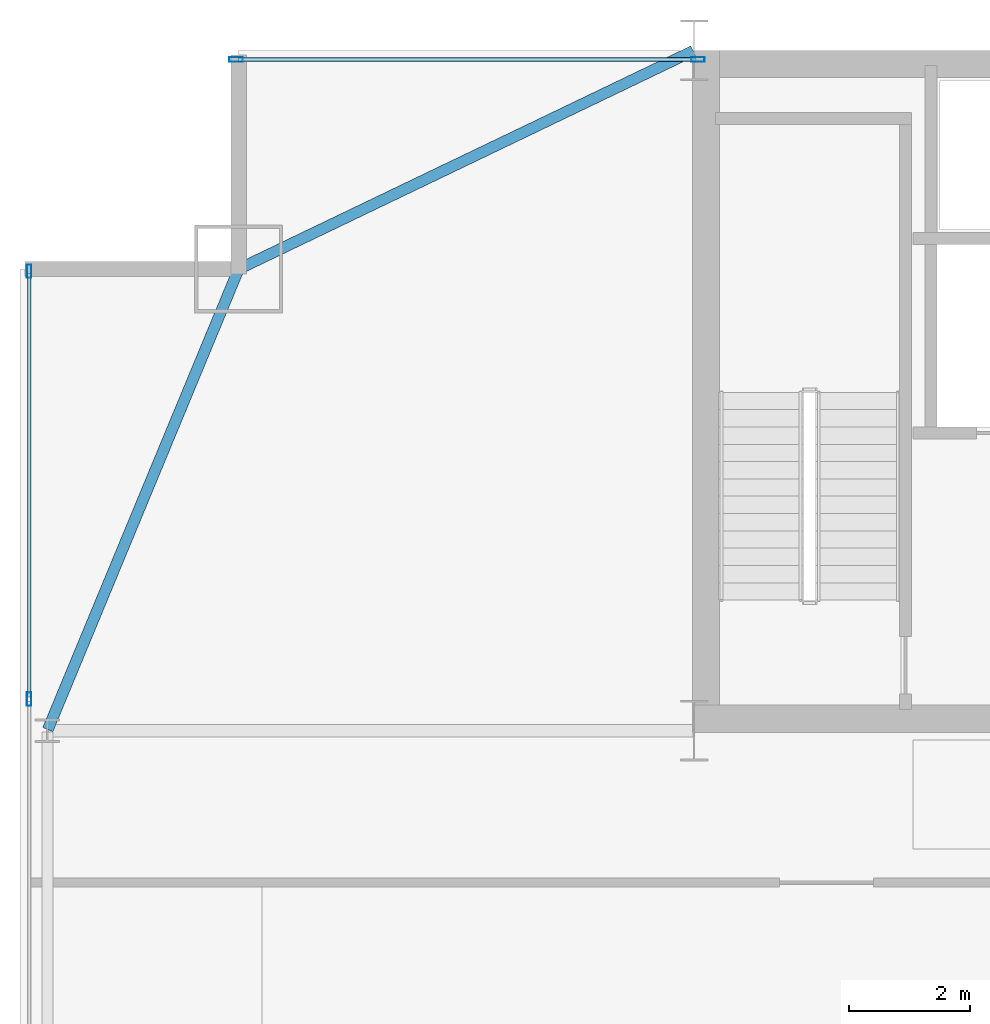
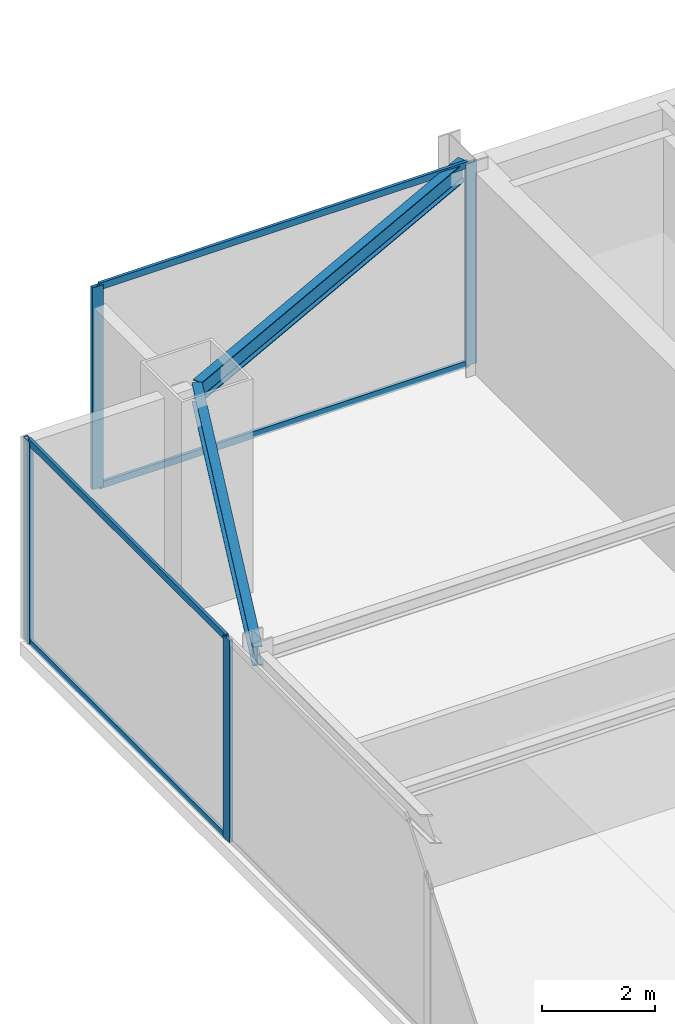
# One storey, part 26 of 32: 8 members, 2 beams, 2 elements without a shape of their own.
"""IFC4 building model written with IfcOpenShell, lengths in metres."""

import ifcopenshell
import ifcopenshell.guid

model = None  # the IFC model being written
_history = None  # IfcOwnerHistory: only IFC2X3 demands one
_inside = {}  # id of a spatial element -> (the spatial element, [elements in it])
_under = {}  # id of a project, library or spatial element -> (it, [spatial elements below it])
_declared = {}  # id of a project -> (the project, [libraries it declares])
_typed = {}  # id of a type object -> (the type object, [elements of that type])
_made_of = {}  # id of a material, layer set ... -> (it, [elements and type objects made of it])


def new_model(schema):
    """Start an empty IFC model of exactly this schema.

    Asked for "IFC4X3", IfcOpenShell would pick the latest addendum, in which some entities
    have other attributes; the version numbers below select the first issue.
    IFC2X3 requires an IfcOwnerHistory on every rooted entity: one is made here for all.
    """
    global model, _history
    if schema == "IFC4X3":
        model = ifcopenshell.file(schema_version=(4, 3, 0, 0))
    else:
        model = ifcopenshell.file(schema=schema)
    _inside.clear()
    _under.clear()
    _declared.clear()
    _typed.clear()
    _made_of.clear()
    _history = None
    if model.schema == "IFC2X3":
        org = make("IfcOrganization", Name="unknown")
        user = make(
            "IfcPersonAndOrganization",
            ThePerson=make("IfcPerson", FamilyName="unknown"),
            TheOrganization=org,
        )
        app = make(
            "IfcApplication",
            ApplicationDeveloper=org,
            Version="unknown",
            ApplicationFullName="unknown",
            ApplicationIdentifier="unknown",
        )
        _history = make(
            "IfcOwnerHistory",
            OwningUser=user,
            OwningApplication=app,
            ChangeAction="ADDED",
            CreationDate=0,
        )
    return model


def make(cls, **values):
    """One entity of the class cls with the attributes given. An attribute that is None is left unset."""
    return model.create_entity(
        cls, **{name: value for name, value in values.items() if value is not None}
    )


def rooted(cls, **values):
    """An entity with a GlobalId (a new one), such as an element, a storey or a relation."""
    return make(cls, GlobalId=ifcopenshell.guid.new(), OwnerHistory=_history, **values)


def si_unit(unit_type, name, prefix=None):
    """IfcSIUnit, for example si_unit("LENGTHUNIT", "METRE", prefix="MILLI")."""
    return make("IfcSIUnit", UnitType=unit_type, Prefix=prefix, Name=name)


def assignment(units):
    """IfcUnitAssignment: the units of a project."""
    return None if units is None else make("IfcUnitAssignment", Units=units)


def point(xyz):
    """IfcCartesianPoint."""
    return None if xyz is None else make("IfcCartesianPoint", Coordinates=xyz)


def direction(xyz):
    """IfcDirection."""
    return None if xyz is None else make("IfcDirection", DirectionRatios=xyz)


def frame(location, z_axis=None, x_axis=None):
    """IfcAxis2Placement3D, a coordinate frame: its origin and axes. An axis left out is left unset."""
    return make(
        "IfcAxis2Placement3D",
        Location=point(location),
        Axis=direction(z_axis),
        RefDirection=direction(x_axis),
    )


def frame_2d(location, x_axis=None):
    """IfcAxis2Placement2D, a coordinate frame in the plane: its origin and x axis."""
    return make(
        "IfcAxis2Placement2D", Location=point(location), RefDirection=direction(x_axis)
    )


def origin():
    """The frame at (0, 0, 0) with its axes left unset."""
    return frame((0.0, 0.0, 0.0))


def origin_2d():
    """The frame at (0, 0) in the plane with its x axis left unset."""
    return frame_2d((0.0, 0.0))


def place(relative_to, where):
    """IfcLocalPlacement: puts the frame where relative to a parent placement (None: the world)."""
    return make(
        "IfcLocalPlacement", PlacementRelTo=relative_to, RelativePlacement=where
    )


def context(
    kind, dimensions, precision=None, world=None, true_north=None, identifier=None
):
    """IfcGeometricRepresentationContext, for example the 3D "Model" context."""
    return make(
        "IfcGeometricRepresentationContext",
        ContextIdentifier=identifier,
        ContextType=kind,
        CoordinateSpaceDimension=dimensions,
        Precision=precision,
        WorldCoordinateSystem=world,
        TrueNorth=true_north,
    )


def subcontext(parent, identifier, kind, view, scale=None):
    """IfcGeometricRepresentationSubContext, for example "Body" below "Model"."""
    return make(
        "IfcGeometricRepresentationSubContext",
        ContextIdentifier=identifier,
        ContextType=kind,
        ParentContext=parent,
        TargetScale=scale,
        TargetView=view,
    )


def project(units=None, contexts=None):
    """IfcProject with its units and contexts."""
    return rooted(
        "IfcProject",
        Name="project",
        RepresentationContexts=contexts,
        UnitsInContext=assignment(units),
    )


def spatial(cls, under=None, at=None, **own):
    """A site, building, storey or space (cls), placed at a placement, below another one or the project."""
    s = rooted(cls, ObjectPlacement=at, **own)
    if under is not None:
        _under.setdefault(under.id(), (under, []))[1].append(s)
    return s


def profile(cls, at=None, kind="AREA", **sizes):
    """A parametric profile (cls). Its sizes go by their IFC names, for example OverallWidth=200.0."""
    return make(cls, ProfileType=kind, Position=at, **sizes)


def hollow_rectangle(**sizes):
    """IfcRectangleHollowProfileDef."""
    return profile("IfcRectangleHollowProfileDef", **sizes)


def i_section(**sizes):
    """IfcIShapeProfileDef."""
    return profile("IfcIShapeProfileDef", **sizes)


def extrude(swept, where, along, depth):
    """IfcExtrudedAreaSolid: the profile swept, set in the frame where, extruded along a direction by depth."""
    return make(
        "IfcExtrudedAreaSolid",
        SweptArea=swept,
        Position=where,
        ExtrudedDirection=direction(along),
        Depth=depth,
    )


def shape(context_of_items, identifier, shape_type, items):
    """IfcShapeRepresentation: the items that make up one representation, for example the "Body"."""
    return make(
        "IfcShapeRepresentation",
        ContextOfItems=context_of_items,
        RepresentationIdentifier=identifier,
        RepresentationType=shape_type,
        Items=items,
    )


def source(mapping_origin, context_of_items, identifier, shape_type, items):
    """IfcRepresentationMap: a shape defined once, which mapped items show again and again."""
    return make(
        "IfcRepresentationMap",
        MappingOrigin=mapping_origin,
        MappedRepresentation=shape(context_of_items, identifier, shape_type, items),
    )


def transform(
    local_origin,
    x_axis=None,
    y_axis=None,
    z_axis=None,
    scale=None,
    scale2=None,
    scale3=None,
    uniform=True,
):
    """IfcCartesianTransformationOperator3D, or its non-uniform kind. x_axis, y_axis, z_axis: its Axis1, 2, 3."""
    if uniform:
        return make(
            "IfcCartesianTransformationOperator3D",
            Axis1=direction(x_axis),
            Axis2=direction(y_axis),
            LocalOrigin=point(local_origin),
            Scale=scale,
            Axis3=direction(z_axis),
        )
    return make(
        "IfcCartesianTransformationOperator3DnonUniform",
        Axis1=direction(x_axis),
        Axis2=direction(y_axis),
        LocalOrigin=point(local_origin),
        Scale=scale,
        Axis3=direction(z_axis),
        Scale2=scale2,
        Scale3=scale3,
    )


def mapped(mapping_source, mapping_target):
    """IfcMappedItem: shows the shape of a source again, moved by a transform."""
    return make(
        "IfcMappedItem", MappingSource=mapping_source, MappingTarget=mapping_target
    )


def material(Name=None, Category=None):
    """IfcMaterial."""
    return make("IfcMaterial", Name=Name, Category=Category)


def layer(
    of_material, thickness, ventilated=None, Name=None, Category=None, Priority=None
):
    """IfcMaterialLayer: one layer of a wall or slab, of a material (None: an air gap)."""
    return make(
        "IfcMaterialLayer",
        Material=of_material,
        LayerThickness=thickness,
        IsVentilated=ventilated,
        Name=Name,
        Category=Category,
        Priority=Priority,
    )


def layer_set(layers, Name=None):
    """IfcMaterialLayerSet."""
    return make("IfcMaterialLayerSet", MaterialLayers=layers, LayerSetName=Name)


def material_profile(
    of_material, cross_section, Name=None, Category=None, Priority=None
):
    """IfcMaterialProfile: a cross section and its material."""
    return make(
        "IfcMaterialProfile",
        Name=Name,
        Material=of_material,
        Profile=cross_section,
        Priority=Priority,
        Category=Category,
    )


def profile_set(profiles, Name=None, composite=None):
    """IfcMaterialProfileSet."""
    return make(
        "IfcMaterialProfileSet",
        Name=Name,
        MaterialProfiles=profiles,
        CompositeProfile=composite,
    )


def made_of(thing, what):
    """Note that an element or type object is made of a material, layer set ...; save() writes the relation."""
    if what is not None:
        _made_of.setdefault(what.id(), (what, []))[1].append(thing)
    return thing


def type_object(cls, material=None, **own):
    """A type object (cls), such as IfcWallType, which elements share."""
    return made_of(rooted(cls, **own), material)


def type_shapes(of_type, sources):
    """Give a type object the sources (RepresentationMaps) that its elements show as mapped items."""
    of_type.RepresentationMaps = sources


def element(
    cls,
    number,
    at=None,
    inside=None,
    cuts=None,
    type_object=None,
    material=None,
    context=None,
    identifier="Body",
    shape_type=None,
    held_by="IfcProductDefinitionShape",
    body=None,
    shapes=None,
    **own,
):
    """One element of the class cls, such as IfcWall. Its Tag is "e" and its number.

    at: its placement. inside: the storey or other place that contains it. cuts: it is an
    opening in that element (IfcRelVoidsElement). A single representation is given by context,
    identifier, shape_type and body (its items); several are given by shapes. held_by: the class
    of the entity that holds the representations. save() writes the other relations.
    """
    e = rooted(cls, Tag="e%d" % number, ObjectPlacement=at, **own)
    if body is not None:
        shapes = [shape(context, identifier, shape_type, body)]
    if shapes is not None:
        e.Representation = make(held_by, Representations=shapes)
    if inside is not None:
        _inside.setdefault(inside.id(), (inside, []))[1].append(e)
    if cuts is not None:
        rooted(
            "IfcRelVoidsElement", RelatingBuildingElement=cuts, RelatedOpeningElement=e
        )
    if type_object is not None:
        _typed.setdefault(type_object.id(), (type_object, []))[1].append(e)
    return made_of(e, material)


def aggregate(whole, parts):
    """IfcRelAggregates: a whole, such as a stair, and the parts it consists of."""
    return rooted("IfcRelAggregates", RelatingObject=whole, RelatedObjects=parts)


def save(model, path):
    """Write the relations noted so far, then the file.

    IfcRelAggregates (storeys below a building ...), IfcRelContainedInSpatialStructure (elements
    in a storey), IfcRelDefinesByType, IfcRelAssociatesMaterial and IfcRelDeclares: one each for
    every whole, place, type object, material and project.
    """
    for whole, parts in _under.values():
        aggregate(whole, parts)
    for where, things in _inside.values():
        rooted(
            "IfcRelContainedInSpatialStructure",
            RelatedElements=things,
            RelatingStructure=where,
        )
    for kind, things in _typed.values():
        rooted("IfcRelDefinesByType", RelatedObjects=things, RelatingType=kind)
    for what, things in _made_of.values():
        rooted("IfcRelAssociatesMaterial", RelatedObjects=things, RelatingMaterial=what)
    for by, libraries in _declared.values():
        rooted("IfcRelDeclares", RelatingContext=by, RelatedDefinitions=libraries)
    model.write(path)


model = new_model("IFC4")

# Units and contexts
model_context = context("Model", 3, precision=1e-05, world=origin(), true_north=direction((0.0, 1.0)))
body_context = subcontext(model_context, "Body", "Model", "MODEL_VIEW")
ifc_project = project(units=[si_unit("LENGTHUNIT", "METRE"), si_unit("AREAUNIT", "SQUARE_METRE"), si_unit("VOLUMEUNIT", "CUBIC_METRE"), si_unit("PLANEANGLEUNIT", "RADIAN"), si_unit("MASSUNIT", "GRAM", prefix="KILO")], contexts=[model_context])

# Site, building, storey
site_placement = place(None, origin())
site = spatial("IfcSite", under=ifc_project, at=site_placement, CompositionType="ELEMENT")
building_placement = place(site_placement, origin())
building = spatial("IfcBuilding", under=site, at=building_placement, Name="Varnel Quay Broadcast Tower", CompositionType="ELEMENT")
storey_placement = place(building_placement, frame((0.0, 0.0, 98.39990234375)))
storey = spatial("IfcBuildingStorey", under=building, at=storey_placement, Name="L23", CompositionType="ELEMENT", Elevation=98.39990234375)

# Beams
ifc_material_1 = material(Name="Structural Steel CSA G40.21 350W", Category="steel")
ifc_material_profile_1 = material_profile(ifc_material_1, i_section(OverallWidth=0.180908203125, OverallDepth=0.4169921875, WebThickness=0.010986328125, FlangeThickness=0.018310546875, FilletRadius=0.011962890625, at=origin_2d()), Name="W410X85")
ifc_profile_set_1 = profile_set([ifc_material_profile_1], Name="Structural Steel CSA G40.21 350W")
beam_type = type_object("IfcBeamType", Name="Beam_W410X85", PredefinedType="SPANDREL", material=ifc_profile_set_1)
shared_shape_1 = source(origin(), body_context, "Body", "SweptSolid", [
    extrude(i_section(OverallWidth=0.180908203125, OverallDepth=0.4169921875, WebThickness=0.010986328125, FlangeThickness=0.018310546875, FilletRadius=0.011962890625, at=origin_2d()), origin(), (0.0, 0.0, 1.0), 8.186767578125),
])
beam_1_placement = place(storey_placement, frame((4.957763671875, 35.618408203125, 4.1416015625), z_axis=(0.382874132092, 0.923800519038, 0.0), x_axis=(-0.923800519038, 0.382874132092, 0.0)))
element("IfcBeam", 1, at=beam_1_placement, inside=storey, type_object=beam_type, Name="L23 West Spandrel TC-W3-MC-NW", PredefinedType="SPANDREL", context=body_context, shape_type="MappedRepresentation", body=[
    mapped(shared_shape_1, transform((0.0, 0.0, 0.0), x_axis=(1.0, 0.0, 0.0), y_axis=(0.0, 1.0, 0.0), z_axis=(0.0, 0.0, 1.0), scale=1.0)),
])
shared_shape_2 = source(origin(), body_context, "Body", "SweptSolid", [
    extrude(i_section(OverallWidth=0.180908203125, OverallDepth=0.4169921875, WebThickness=0.010986328125, FlangeThickness=0.018310546875, FilletRadius=0.011962890625, at=origin_2d()), origin(), (0.0, 0.0, 1.0), 8.279296875),
])
type_shapes(beam_type, [shared_shape_1, shared_shape_2])
beam_2_placement = place(storey_placement, frame((8.117919921875, 43.208740234375, 4.1416015625), z_axis=(0.901535021024, 0.432706142626, 0.0), x_axis=(-0.432706142626, 0.901535021024, 0.0)))
element("IfcBeam", 2, at=beam_2_placement, inside=storey, type_object=beam_type, Name="L23 NW Tie Spandrel", PredefinedType="SPANDREL", context=body_context, shape_type="MappedRepresentation", body=[
    mapped(shared_shape_2, transform((0.0, 0.0, 0.0), x_axis=(1.0, 0.0, 0.0), y_axis=(0.0, 1.0, 0.0), z_axis=(0.0, 0.0, 1.0), scale=1.0)),
])

# Curtain wall, members
ifc_material_2 = material(Name="Anodised Bronze Aluminium 6063-T6", Category="aluminium")
ifc_layer = layer(ifc_material_2, 0.18994140625, Name="Anodised Bronze Aluminium 6063-T6")
ifc_layer_set = layer_set([ifc_layer], Name="Anodised Bronze Aluminium 6063-T6")
curtain_wall_type = type_object("IfcCurtainWallType", Name="CW_SkyObsHighVis", PredefinedType="NOTDEFINED", material=ifc_layer_set)
curtain_wall_1_placement = place(storey_placement, origin())
curtain_wall_1 = element("IfcCurtainWall", 3, at=curtain_wall_1_placement, inside=storey, type_object=curtain_wall_type, Name="L23 West Unitised Curtain Wall", PredefinedType="NOTDEFINED")
ifc_material_profile_2 = material_profile(ifc_material_2, hollow_rectangle(XDim=0.074951171875, YDim=0.219970703125, WallThickness=0.00390625, at=origin_2d()), Name="ALU75X220X4")
ifc_profile_set_2 = profile_set([ifc_material_profile_2], Name="Anodised Bronze Aluminium 6063-T6")
member_type_1 = type_object("IfcMemberType", Name="Mull_CWS-05", PredefinedType="MULLION", material=ifc_profile_set_2)
shared_shape_3 = source(origin(), body_context, "Body", "SweptSolid", [
    extrude(hollow_rectangle(XDim=0.074951171875, YDim=0.219970703125, WallThickness=0.00390625, at=origin_2d()), origin(), (0.0, 0.0, 1.0), 4.35009765625),
])
type_shapes(member_type_1, [shared_shape_3])
member_1_placement = place(storey_placement, frame((4.64990234375, 36.1201171875, 0.0), z_axis=(0.0, 0.0, 1.0), x_axis=(-1.0, 0.0, 0.0)))
member_1 = element("IfcMember", 4, at=member_1_placement, type_object=member_type_1, Name="CWS-05 mullion 5", PredefinedType="MULLION", context=body_context, shape_type="MappedRepresentation", body=[
    mapped(shared_shape_3, transform((0.0, 0.0, 0.0), x_axis=(1.0, 0.0, 0.0), y_axis=(0.0, 1.0, 0.0), z_axis=(0.0, 0.0, 1.0), scale=1.0)),
])
member_2_placement = place(storey_placement, frame((4.64990234375, 43.16259765625, 0.0), z_axis=(0.0, 0.0, 1.0), x_axis=(-1.0, 0.0, 0.0)))
member_2 = element("IfcMember", 5, at=member_2_placement, type_object=member_type_1, Name="CWS-05 mullion 6", PredefinedType="MULLION", context=body_context, shape_type="MappedRepresentation", body=[
    mapped(shared_shape_3, transform((0.0, 0.0, 0.0), x_axis=(1.0, 0.0, 0.0), y_axis=(0.0, 1.0, 0.0), z_axis=(0.0, 0.0, 1.0), scale=1.0)),
])

curtain_wall_2_placement = place(storey_placement, origin())
curtain_wall_2 = element("IfcCurtainWall", 6, at=curtain_wall_2_placement, inside=storey, type_object=curtain_wall_type, Name="L23 NW Wing Curtain Wall", PredefinedType="NOTDEFINED")
member_3_placement = place(storey_placement, frame((8.0576171875, 46.64990234375, 0.0), z_axis=(0.0, 0.0, 1.0), x_axis=(0.0, 1.0, 0.0)))
member_3 = element("IfcMember", 7, at=member_3_placement, type_object=member_type_1, Name="CWS-05 mullion 1", PredefinedType="MULLION", context=body_context, shape_type="MappedRepresentation", body=[
    mapped(shared_shape_3, transform((0.0, 0.0, 0.0), x_axis=(1.0, 0.0, 0.0), y_axis=(0.0, 1.0, 0.0), z_axis=(0.0, 0.0, 1.0), scale=1.0)),
])
member_4_placement = place(storey_placement, frame((15.66259765625, 46.64990234375, 0.0), z_axis=(0.0, 0.0, 1.0), x_axis=(0.0, 1.0, 0.0)))
member_4 = element("IfcMember", 8, at=member_4_placement, type_object=member_type_1, Name="CWS-05 mullion 2", PredefinedType="MULLION", context=body_context, shape_type="MappedRepresentation", body=[
    mapped(shared_shape_3, transform((0.0, 0.0, 0.0), x_axis=(1.0, 0.0, 0.0), y_axis=(0.0, 1.0, 0.0), z_axis=(0.0, 0.0, 1.0), scale=1.0)),
])

# Member
ifc_material_profile_3 = material_profile(ifc_material_2, hollow_rectangle(XDim=0.06005859375, YDim=0.14501953125, WallThickness=0.00341796875, at=origin_2d()), Name="ALU60X145X3.5")
ifc_profile_set_3 = profile_set([ifc_material_profile_3], Name="Anodised Bronze Aluminium 6063-T6")
member_type_2 = type_object("IfcMemberType", Name="Tran_CWS-05", PredefinedType="USERDEFINED", material=ifc_profile_set_3)
shared_shape_4 = source(origin(), body_context, "Body", "SweptSolid", [
    extrude(hollow_rectangle(XDim=0.06005859375, YDim=0.14501953125, WallThickness=0.00341796875, at=origin_2d()), origin(), (0.0, 0.0, 1.0), 6.967529296875),
])
member_5_placement = place(storey_placement, frame((4.64990234375, 36.157470703125, 0.030029296875), z_axis=(0.0, 1.0, 0.0), x_axis=(-1.0, 0.0, 0.0)))
member_5 = element("IfcMember", 9, at=member_5_placement, type_object=member_type_2, Name="CWS-05 transom 5.1", ObjectType="TRANSOM", PredefinedType="USERDEFINED", context=body_context, shape_type="MappedRepresentation", body=[
    mapped(shared_shape_4, transform((0.0, 0.0, 0.0), x_axis=(1.0, 0.0, 0.0), y_axis=(0.0, 1.0, 0.0), z_axis=(0.0, 0.0, 1.0), scale=1.0)),
])

member_6_placement = place(storey_placement, frame((4.64990234375, 36.157470703125, 4.320068359375), z_axis=(0.0, 1.0, 0.0), x_axis=(-1.0, 0.0, 0.0)))
member_6 = element("IfcMember", 10, at=member_6_placement, type_object=member_type_2, Name="CWS-05 transom 5.2", ObjectType="TRANSOM", PredefinedType="USERDEFINED", context=body_context, shape_type="MappedRepresentation", body=[
    mapped(shared_shape_4, transform((0.0, 0.0, 0.0), x_axis=(1.0, 0.0, 0.0), y_axis=(0.0, 1.0, 0.0), z_axis=(0.0, 0.0, 1.0), scale=1.0)),
])

aggregate(curtain_wall_1, [member_1, member_2, member_5, member_6])

shared_shape_5 = source(origin(), body_context, "Body", "SweptSolid", [
    extrude(hollow_rectangle(XDim=0.06005859375, YDim=0.14501953125, WallThickness=0.00341796875, at=origin_2d()), origin(), (0.0, 0.0, 1.0), 7.530029296875),
])
type_shapes(member_type_2, [shared_shape_4, shared_shape_5])
member_7_placement = place(storey_placement, frame((8.094970703125, 46.64990234375, 0.030029296875), z_axis=(1.0, 0.0, 0.0), x_axis=(0.0, 1.0, 0.0)))
member_7 = element("IfcMember", 11, at=member_7_placement, type_object=member_type_2, Name="CWS-05 transom 1.1", ObjectType="TRANSOM", PredefinedType="USERDEFINED", context=body_context, shape_type="MappedRepresentation", body=[
    mapped(shared_shape_5, transform((0.0, 0.0, 0.0), x_axis=(1.0, 0.0, 0.0), y_axis=(0.0, 1.0, 0.0), z_axis=(0.0, 0.0, 1.0), scale=1.0)),
])

member_8_placement = place(storey_placement, frame((8.094970703125, 46.64990234375, 4.320068359375), z_axis=(1.0, 0.0, 0.0), x_axis=(0.0, 1.0, 0.0)))
member_8 = element("IfcMember", 12, at=member_8_placement, type_object=member_type_2, Name="CWS-05 transom 1.2", ObjectType="TRANSOM", PredefinedType="USERDEFINED", context=body_context, shape_type="MappedRepresentation", body=[
    mapped(shared_shape_5, transform((0.0, 0.0, 0.0), x_axis=(1.0, 0.0, 0.0), y_axis=(0.0, 1.0, 0.0), z_axis=(0.0, 0.0, 1.0), scale=1.0)),
])

aggregate(curtain_wall_2, [member_3, member_4, member_7, member_8])

save(model, "model.ifc")
